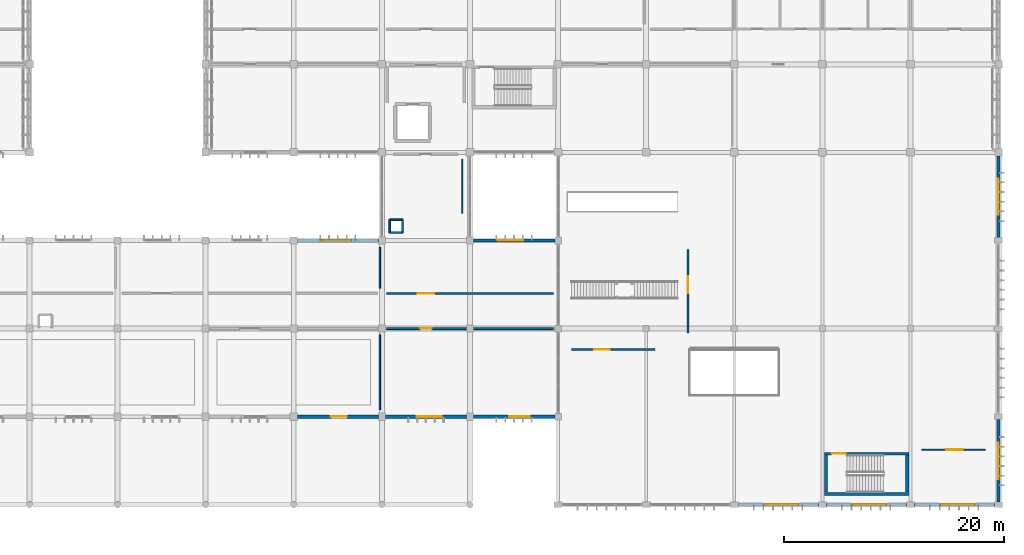
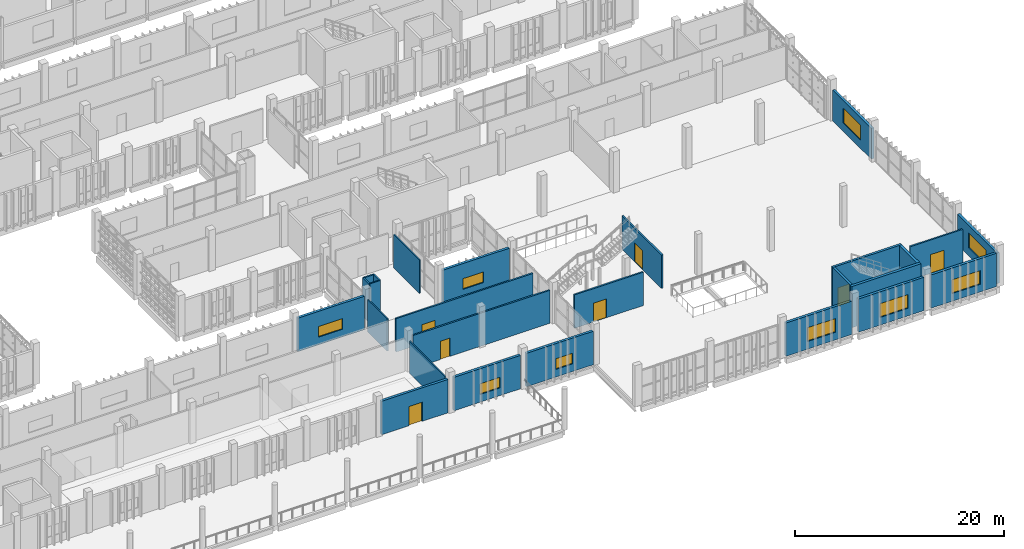
# One storey, part 87 of 106: 26 walls, 9 windows, 7 doors, 16 openings.
"""IFC4 building model written with IfcOpenShell, lengths in metres."""

from ifc_helpers import new_model, si_unit, direction, frame, frame_2d, origin, place, context, subcontext, project, spatial, rectangle, extrude, material, layer, layer_set, type_object, element, fill, save


model = new_model("IFC4")

# Units and contexts
model_context = context("Model", 3, precision=1e-05, world=origin(), true_north=direction((0.0, 1.0)))
body_context = subcontext(model_context, "Body", "Model", "MODEL_VIEW")
ifc_project = project(units=[si_unit("LENGTHUNIT", "METRE"), si_unit("AREAUNIT", "SQUARE_METRE"), si_unit("VOLUMEUNIT", "CUBIC_METRE"), si_unit("PLANEANGLEUNIT", "RADIAN"), si_unit("MASSUNIT", "GRAM", prefix="KILO")], contexts=[model_context])

# Site, building, storey
site_placement = place(None, origin())
site = spatial("IfcSite", under=ifc_project, at=site_placement, CompositionType="ELEMENT")
building_placement = place(site_placement, origin())
building = spatial("IfcBuilding", under=site, at=building_placement, Name="Jelvoka-Kovrelna Polytechnic", CompositionType="ELEMENT")
storey_placement = place(building_placement, frame((0.0, 0.0, 4.800048828125)))
storey = spatial("IfcBuildingStorey", under=building, at=storey_placement, Name="L02", CompositionType="ELEMENT", Elevation=4.800048828125)

# Wall, opening, door
ifc_material_1 = material(Name="Concrete C40/50", Category="concrete")
ifc_layer_1 = layer(ifc_material_1, 0.25)
ifc_layer_set_1 = layer_set([ifc_layer_1], Name="Concrete C40/50")
wall_type_1 = type_object("IfcWallType", Name="Wall_Core_250", PredefinedType="SOLIDWALL", material=ifc_layer_set_1)
wall_1_placement = place(storey_placement, frame((184.199951171875, 4.639892578125, 0.0), z_axis=(0.0, 0.0, 1.0), x_axis=(1.0, 0.0, 0.0)))
wall_1 = element("IfcWall", 1, at=wall_1_placement, inside=storey, type_object=wall_type_1, Name="L02 interior wall 0055", PredefinedType="SOLIDWALL", context=body_context, shape_type="SweptSolid", body=[
    extrude(rectangle(XDim=7.650146484375, YDim=0.25, at=frame_2d((3.8251953125, 0.0))), origin(), (0.0, 0.0, 1.0), 4.800048828125),
])
opening_1_placement = place(wall_1_placement, frame((0.64990234375, 0.0, 0.0)))
opening_1 = element("IfcOpeningElement", 2, at=opening_1_placement, cuts=wall_1, Name="Opening SD-L02-014", PredefinedType="OPENING", context=body_context, shape_type="SweptSolid", body=[
    extrude(rectangle(XDim=1.25, YDim=2.14990234375, at=frame_2d((0.625, 1.074951171875))), frame((0.0, 0.135009765625, 0.0), z_axis=(0.0, -1.0, 0.0), x_axis=(1.0, 0.0, 0.0)), (0.0, 0.0, 1.0), 0.27001953125),
])
ifc_material_2 = material(Name="Powder-coated steel fire door", Category="steel")
door_type_1 = type_object("IfcDoorType", Name="Door_Fire_FD02", OperationType="NOTDEFINED", PredefinedType="DOOR", material=ifc_material_2)
door_1_placement = place(opening_1_placement, origin())
door_1 = element("IfcDoor", 3, at=door_1_placement, inside=storey, type_object=door_type_1, Name="L02 interior door SD-L02-014", OperationType="SINGLE_SWING_LEFT", OverallHeight=2.14990234375, OverallWidth=1.25, PredefinedType="DOOR", context=body_context, shape_type="SweptSolid", body=[
    extrude(rectangle(XDim=1.25, YDim=2.14990234375, at=frame_2d((0.625, 1.074951171875))), frame((0.0, 0.02490234375, 0.0), z_axis=(0.0, -1.0, 0.0), x_axis=(1.0, 0.0, 0.0)), (0.0, 0.0, 1.0), 0.050048828125),
])
fill(opening_1, door_1)

# Wall
wall_2_placement = place(storey_placement, frame((184.324951171875, 1.14990234375, 0.0), z_axis=(0.0, 0.0, 1.0), x_axis=(0.0, 1.0, 0.0)))
element("IfcWall", 4, at=wall_2_placement, inside=storey, type_object=wall_type_1, Name="L02 interior wall 0056", PredefinedType="SOLIDWALL", context=body_context, shape_type="SweptSolid", body=[
    extrude(rectangle(XDim=3.360107421875, YDim=0.25, at=frame_2d((1.68017578125, 0.0))), origin(), (0.0, 0.0, 1.0), 4.800048828125),
])

# Wall, opening, door
ifc_material_3 = material(Name="Autoclaved aerated concrete blockwork", Category="masonry")
ifc_layer_2 = layer(ifc_material_3, 0.179931640625)
ifc_layer_set_2 = layer_set([ifc_layer_2], Name="Autoclaved aerated concrete blockwork")
wall_type_2 = type_object("IfcWallType", Name="Wall_Corridor_180", PredefinedType="PARTITIONING", material=ifc_layer_set_2)
wall_3_placement = place(storey_placement, frame((144.429931640625, 16.0, 0.0), z_axis=(0.0, 0.0, 1.0), x_axis=(1.0, 0.0, 0.0)))
wall_3 = element("IfcWall", 5, at=wall_3_placement, inside=storey, type_object=wall_type_2, Name="L02 interior wall 0951", PredefinedType="PARTITIONING", context=body_context, shape_type="SweptSolid", body=[
    extrude(rectangle(XDim=15.14013671875, YDim=0.179931640625, at=frame_2d((7.570068359375, 0.0))), origin(), (0.0, 0.0, 1.0), 3.85986328125),
])
opening_2_placement = place(wall_3_placement, frame((3.050048828125, 0.0, 0.0)))
opening_2 = element("IfcOpeningElement", 6, at=opening_2_placement, cuts=wall_3, Name="Opening D-L02-224", PredefinedType="OPENING", context=body_context, shape_type="SweptSolid", body=[
    extrude(rectangle(XDim=1.0400390625, YDim=2.14990234375, at=frame_2d((0.52001953125, 1.074951171875))), frame((0.0, 0.099853515625, 0.0), z_axis=(0.0, -1.0, 0.0), x_axis=(1.0, 0.0, 0.0)), (0.0, 0.0, 1.0), 0.199951171875),
])
ifc_material_4 = material(Name="Hardwood acoustic seminar door", Category="wood")
door_type_2 = type_object("IfcDoorType", Name="Door_Int_D09", OperationType="NOTDEFINED", PredefinedType="DOOR", material=ifc_material_4)
door_2_placement = place(opening_2_placement, origin())
door_2 = element("IfcDoor", 7, at=door_2_placement, inside=storey, type_object=door_type_2, Name="L02 interior door D-L02-224", OperationType="SINGLE_SWING_LEFT", OverallHeight=2.14990234375, OverallWidth=1.0400390625, PredefinedType="DOOR", context=body_context, shape_type="SweptSolid", body=[
    extrude(rectangle(XDim=1.0400390625, YDim=2.14990234375, at=frame_2d((0.52001953125, 1.074951171875))), frame((0.0, 0.02490234375, 0.0), z_axis=(0.0, -1.0, 0.0), x_axis=(1.0, 0.0, 0.0)), (0.0, 0.0, 1.0), 0.050048828125),
])
fill(opening_2, door_2)

wall_4_placement = place(storey_placement, frame((144.429931640625, 19.199951171875, 0.0), z_axis=(0.0, 0.0, 1.0), x_axis=(1.0, 0.0, 0.0)))
wall_4 = element("IfcWall", 8, at=wall_4_placement, inside=storey, type_object=wall_type_2, Name="L02 interior wall 0959", PredefinedType="PARTITIONING", context=body_context, shape_type="SweptSolid", body=[
    extrude(rectangle(XDim=15.14013671875, YDim=0.179931640625, at=frame_2d((7.570068359375, 0.0))), origin(), (0.0, 0.0, 1.0), 3.89990234375),
])
opening_3_placement = place(wall_4_placement, frame((2.830078125, 0.0, 0.0)))
opening_3 = element("IfcOpeningElement", 9, at=opening_3_placement, cuts=wall_4, Name="Opening D-L02-229", PredefinedType="OPENING", context=body_context, shape_type="SweptSolid", body=[
    extrude(rectangle(XDim=1.47998046875, YDim=2.199951171875, at=frame_2d((0.739990234375, 1.10009765625))), frame((0.0, 0.099853515625, 0.0), z_axis=(0.0, -1.0, 0.0), x_axis=(1.0, 0.0, 0.0)), (0.0, 0.0, 1.0), 0.199951171875),
])
ifc_material_5 = material(Name="Paired studio double door", Category="wood")
door_type_3 = type_object("IfcDoorType", Name="Door_Int_D17", OperationType="NOTDEFINED", PredefinedType="DOOR", material=ifc_material_5)
door_3_placement = place(opening_3_placement, origin())
door_3 = element("IfcDoor", 10, at=door_3_placement, inside=storey, type_object=door_type_3, Name="L02 interior door D-L02-229", OperationType="DOUBLE_DOOR_SINGLE_SWING", OverallHeight=2.199951171875, OverallWidth=1.47998046875, PredefinedType="DOOR", context=body_context, shape_type="SweptSolid", body=[
    extrude(rectangle(XDim=1.47998046875, YDim=2.199951171875, at=frame_2d((0.739990234375, 1.10009765625))), frame((0.0, 0.02490234375, 0.0), z_axis=(0.0, -1.0, 0.0), x_axis=(1.0, 0.0, 0.0)), (0.0, 0.0, 1.0), 0.050048828125),
])
fill(opening_3, door_3)

wall_5_placement = place(storey_placement, frame((171.800048828125, 15.60009765625, 0.0), z_axis=(0.0, 0.0, 1.0), x_axis=(0.0, 1.0, 0.0)))
wall_5 = element("IfcWall", 11, at=wall_5_placement, inside=storey, type_object=wall_type_2, Name="L02 interior wall 1026", PredefinedType="PARTITIONING", context=body_context, shape_type="SweptSolid", body=[
    extrude(rectangle(XDim=7.599853515625, YDim=0.179931640625, at=frame_2d((3.7998046875, 0.0))), origin(), (0.0, 0.0, 1.0), 3.89990234375),
])
opening_4_placement = place(wall_5_placement, frame((3.6298828125, 0.0, 0.0)))
opening_4 = element("IfcOpeningElement", 12, at=opening_4_placement, cuts=wall_5, Name="Opening D-L02-273", PredefinedType="OPENING", context=body_context, shape_type="SweptSolid", body=[
    extrude(rectangle(XDim=1.5400390625, YDim=2.199951171875, at=frame_2d((0.77001953125, 1.10009765625))), frame((0.0, 0.099853515625, 0.0), z_axis=(0.0, -1.0, 0.0), x_axis=(1.0, 0.0, 0.0)), (0.0, 0.0, 1.0), 0.199951171875),
])
ifc_material_6 = material(Name="Paired hardwood fire-resisting library door", Category="wood")
door_type_4 = type_object("IfcDoorType", Name="Door_Fire_FD30_07", OperationType="NOTDEFINED", PredefinedType="DOOR", material=ifc_material_6)
door_4_placement = place(opening_4_placement, origin())
door_4 = element("IfcDoor", 13, at=door_4_placement, inside=storey, type_object=door_type_4, Name="L02 interior door D-L02-273", OperationType="DOUBLE_DOOR_SINGLE_SWING", OverallHeight=2.199951171875, OverallWidth=1.5400390625, PredefinedType="DOOR", context=body_context, shape_type="SweptSolid", body=[
    extrude(rectangle(XDim=1.5400390625, YDim=2.199951171875, at=frame_2d((0.77001953125, 1.10009765625))), frame((0.0, 0.02490234375, 0.0), z_axis=(0.0, -1.0, 0.0), x_axis=(1.0, 0.0, 0.0)), (0.0, 0.0, 1.0), 0.050048828125),
])
fill(opening_4, door_4)

wall_6_placement = place(storey_placement, frame((161.199951171875, 14.10009765625, 0.0), z_axis=(0.0, 0.0, 1.0), x_axis=(1.0, 0.0, 0.0)))
wall_6 = element("IfcWall", 14, at=wall_6_placement, inside=storey, type_object=wall_type_2, Name="L02 interior wall 1027", PredefinedType="PARTITIONING", context=body_context, shape_type="SweptSolid", body=[
    extrude(rectangle(XDim=7.60009765625, YDim=0.179931640625, at=frame_2d((3.800048828125, 0.0))), origin(), (0.0, 0.0, 1.0), 3.89990234375),
])
opening_5_placement = place(wall_6_placement, frame((2.090087890625, 0.0, 0.0)))
opening_5 = element("IfcOpeningElement", 15, at=opening_5_placement, cuts=wall_6, Name="Opening D-L02-274", PredefinedType="OPENING", context=body_context, shape_type="SweptSolid", body=[
    extrude(rectangle(XDim=1.419921875, YDim=2.199951171875, at=frame_2d((0.7099609375, 1.10009765625))), frame((0.0, 0.099853515625, 0.0), z_axis=(0.0, -1.0, 0.0), x_axis=(1.0, 0.0, 0.0)), (0.0, 0.0, 1.0), 0.199951171875),
])
ifc_material_7 = material(Name="Paired laboratory equipment door", Category="wood")
door_type_5 = type_object("IfcDoorType", Name="Door_Int_D16", OperationType="NOTDEFINED", PredefinedType="DOOR", material=ifc_material_7)
door_5_placement = place(opening_5_placement, origin())
door_5 = element("IfcDoor", 16, at=door_5_placement, inside=storey, type_object=door_type_5, Name="L02 interior door D-L02-274", OperationType="DOUBLE_DOOR_SINGLE_SWING", OverallHeight=2.199951171875, OverallWidth=1.419921875, PredefinedType="DOOR", context=body_context, shape_type="SweptSolid", body=[
    extrude(rectangle(XDim=1.419921875, YDim=2.199951171875, at=frame_2d((0.7099609375, 1.10009765625))), frame((0.0, 0.02490234375, 0.0), z_axis=(0.0, -1.0, 0.0), x_axis=(1.0, 0.0, 0.0)), (0.0, 0.0, 1.0), 0.050048828125),
])
fill(opening_5, door_5)

wall_7_placement = place(storey_placement, frame((193.0, 5.0, 0.0), z_axis=(0.0, 0.0, 1.0), x_axis=(1.0, 0.0, 0.0)))
wall_7 = element("IfcWall", 17, at=wall_7_placement, inside=storey, type_object=wall_type_2, Name="L02 interior wall 1028", PredefinedType="PARTITIONING", context=body_context, shape_type="SweptSolid", body=[
    extrude(rectangle(XDim=5.800048828125, YDim=0.179931640625, at=frame_2d((2.89990234375, 0.0))), origin(), (0.0, 0.0, 1.0), 3.89990234375),
])
opening_6_placement = place(wall_7_placement, frame((2.260009765625, 0.0, 0.0)))
opening_6 = element("IfcOpeningElement", 18, at=opening_6_placement, cuts=wall_7, Name="Opening D-L02-275", PredefinedType="OPENING", context=body_context, shape_type="SweptSolid", body=[
    extrude(rectangle(XDim=1.47998046875, YDim=2.199951171875, at=frame_2d((0.739990234375, 1.10009765625))), frame((0.0, 0.099853515625, 0.0), z_axis=(0.0, -1.0, 0.0), x_axis=(1.0, 0.0, 0.0)), (0.0, 0.0, 1.0), 0.199951171875),
])
door_6_placement = place(opening_6_placement, origin())
door_6 = element("IfcDoor", 19, at=door_6_placement, inside=storey, type_object=door_type_3, Name="L02 interior door D-L02-275", OperationType="DOUBLE_DOOR_SINGLE_SWING", OverallHeight=2.199951171875, OverallWidth=1.47998046875, PredefinedType="DOOR", context=body_context, shape_type="SweptSolid", body=[
    extrude(rectangle(XDim=1.47998046875, YDim=2.199951171875, at=frame_2d((0.739990234375, 1.10009765625))), frame((0.0, 0.02490234375, 0.0), z_axis=(0.0, -1.0, 0.0), x_axis=(1.0, 0.0, 0.0)), (0.0, 0.0, 1.0), 0.050048828125),
])
fill(opening_6, door_6)

ifc_material_8 = material(Name="Precast concrete C40/50", Category="concrete")
ifc_layer_3 = layer(ifc_material_8, 0.280029296875)
ifc_layer_set_3 = layer_set([ifc_layer_3], Name="Precast concrete C40/50")
wall_type_3 = type_object("IfcWallType", Name="Wall_Ext_White_280", PredefinedType="STANDARD", material=ifc_layer_set_3)
wall_8_placement = place(storey_placement, frame((143.677978515625, 8.0, 0.0), z_axis=(0.0, 0.0, 1.0), x_axis=(-1.0, 0.0, 0.0)))
wall_8 = element("IfcWall", 20, at=wall_8_placement, inside=storey, type_object=wall_type_3, Name="L02 exterior wall 0275", PredefinedType="STANDARD", context=body_context, shape_type="SweptSolid", body=[
    extrude(rectangle(XDim=7.35595703125, YDim=0.280029296875, at=frame_2d((3.677978515625, 0.0))), origin(), (0.0, 0.0, 1.0), 3.909912109375),
])
opening_7_placement = place(wall_8_placement, frame((2.85791015625, 0.0, 0.0)))
opening_7 = element("IfcOpeningElement", 21, at=opening_7_placement, cuts=wall_8, Name="Opening TD-L02-005", PredefinedType="OPENING", context=body_context, shape_type="SweptSolid", body=[
    extrude(rectangle(XDim=1.449951171875, YDim=2.25, at=frame_2d((0.72509765625, 1.125))), frame((0.0, 0.150146484375, 0.0), z_axis=(0.0, -1.0, 0.0), x_axis=(1.0, 0.0, 0.0)), (0.0, 0.0, 1.0), 0.300048828125),
])
ifc_material_9 = material(Name="Powder-coated aluminium and laminated safety glass", Category="aluminium")
door_type_6 = type_object("IfcDoorType", Name="Door_Ext_Terrace_1450x2250", OperationType="NOTDEFINED", PredefinedType="DOOR", material=ifc_material_9)
door_7_placement = place(opening_7_placement, origin())
door_7 = element("IfcDoor", 22, at=door_7_placement, inside=storey, type_object=door_type_6, Name="L02 exterior door TD-L02-005", OperationType="SINGLE_SWING_LEFT", OverallHeight=2.25, OverallWidth=1.449951171875, PredefinedType="DOOR", context=body_context, shape_type="SweptSolid", body=[
    extrude(rectangle(XDim=1.449951171875, YDim=2.25, at=frame_2d((0.72509765625, 1.125))), frame((0.0, 0.02490234375, 0.0), z_axis=(0.0, -1.0, 0.0), x_axis=(1.0, 0.0, 0.0)), (0.0, 0.0, 1.0), 0.050048828125),
])
fill(opening_7, door_7)

# Wall, opening, window
wall_9_placement = place(storey_placement, frame((136.322021484375, 24.0, 0.0), z_axis=(0.0, 0.0, 1.0), x_axis=(1.0, 0.0, 0.0)))
wall_9 = element("IfcWall", 23, at=wall_9_placement, inside=storey, type_object=wall_type_3, Name="L02 exterior wall 0276", PredefinedType="STANDARD", context=body_context, shape_type="SweptSolid", body=[
    extrude(rectangle(XDim=7.35595703125, YDim=0.280029296875, at=frame_2d((3.677978515625, 0.0))), origin(), (0.0, 0.0, 1.0), 3.909912109375),
])
opening_8_placement = place(wall_9_placement, frame((2.258056640625, 0.0, 0.89990234375)))
opening_8 = element("IfcOpeningElement", 24, at=opening_8_placement, cuts=wall_9, Name="Opening W-L02-040", PredefinedType="OPENING", context=body_context, shape_type="SweptSolid", body=[
    extrude(rectangle(XDim=2.64990234375, YDim=1.25, at=frame_2d((1.324951171875, 0.625))), frame((0.0, 0.150146484375, 0.0), z_axis=(0.0, -1.0, 0.0), x_axis=(1.0, 0.0, 0.0)), (0.0, 0.0, 1.0), 0.300048828125),
])
ifc_material_10 = material(Name="Thermally broken anodised aluminium and low-e glazing", Category="aluminium")
window_type_1 = type_object("IfcWindowType", Name="Win_Casement_W09", PartitioningType="DOUBLE_PANEL_VERTICAL", PredefinedType="WINDOW", material=ifc_material_10)
window_1_placement = place(opening_8_placement, origin())
window_1 = element("IfcWindow", 25, at=window_1_placement, inside=storey, type_object=window_type_1, Name="L02 aluminium casement window W-L02-040", OverallHeight=1.25, OverallWidth=2.64990234375, PartitioningType="DOUBLE_PANEL_VERTICAL", PredefinedType="WINDOW", context=body_context, shape_type="SweptSolid", body=[
    extrude(rectangle(XDim=2.64990234375, YDim=1.25, at=frame_2d((1.324951171875, 0.625))), frame((0.0, 0.030029296875, 0.0), z_axis=(0.0, -1.0, 0.0), x_axis=(1.0, 0.0, 0.0)), (0.0, 0.0, 1.0), 0.06005859375),
])
fill(opening_8, window_1)

wall_10_placement = place(storey_placement, frame((151.677978515625, 8.0, 0.0), z_axis=(0.0, 0.0, 1.0), x_axis=(-1.0, 0.0, 0.0)))
wall_10 = element("IfcWall", 26, at=wall_10_placement, inside=storey, type_object=wall_type_3, Name="L02 exterior wall 0277", PredefinedType="STANDARD", context=body_context, shape_type="SweptSolid", body=[
    extrude(rectangle(XDim=7.35595703125, YDim=0.280029296875, at=frame_2d((3.677978515625, 0.0))), origin(), (0.0, 0.0, 1.0), 3.909912109375),
])
opening_9_placement = place(wall_10_placement, frame((2.258056640625, 0.0, 0.89990234375)))
opening_9 = element("IfcOpeningElement", 27, at=opening_9_placement, cuts=wall_10, Name="Opening W-L02-041", PredefinedType="OPENING", context=body_context, shape_type="SweptSolid", body=[
    extrude(rectangle(XDim=2.25, YDim=1.25, at=frame_2d((1.125, 0.625))), frame((0.0, 0.150146484375, 0.0), z_axis=(0.0, -1.0, 0.0), x_axis=(1.0, 0.0, 0.0)), (0.0, 0.0, 1.0), 0.300048828125),
])
ifc_material_11 = material(Name="Thermally broken anodised aluminium and low-e glazing", Category="aluminium")
window_type_2 = type_object("IfcWindowType", Name="Win_Casement_W07", PartitioningType="DOUBLE_PANEL_VERTICAL", PredefinedType="WINDOW", material=ifc_material_11)
window_2_placement = place(opening_9_placement, origin())
window_2 = element("IfcWindow", 28, at=window_2_placement, inside=storey, type_object=window_type_2, Name="L02 aluminium casement window W-L02-041", OverallHeight=1.25, OverallWidth=2.25, PartitioningType="DOUBLE_PANEL_VERTICAL", PredefinedType="WINDOW", context=body_context, shape_type="SweptSolid", body=[
    extrude(rectangle(XDim=2.25, YDim=1.25, at=frame_2d((1.125, 0.625))), frame((0.0, 0.030029296875, 0.0), z_axis=(0.0, -1.0, 0.0), x_axis=(1.0, 0.0, 0.0)), (0.0, 0.0, 1.0), 0.06005859375),
])
fill(opening_9, window_2)

wall_11_placement = place(storey_placement, frame((159.702880859375, 8.0, 0.0), z_axis=(0.0, 0.0, 1.0), x_axis=(-1.0, 0.0, 0.0)))
wall_11 = element("IfcWall", 29, at=wall_11_placement, inside=storey, type_object=wall_type_3, Name="L02 exterior wall 0278", PredefinedType="STANDARD", context=body_context, shape_type="SweptSolid", body=[
    extrude(rectangle(XDim=7.380859375, YDim=0.280029296875, at=frame_2d((3.6904296875, 0.0))), origin(), (0.0, 0.0, 1.0), 3.909912109375),
])
opening_10_placement = place(wall_11_placement, frame((2.282958984375, 0.0, 0.89990234375)))
opening_10 = element("IfcOpeningElement", 30, at=opening_10_placement, cuts=wall_11, Name="Opening W-L02-042", PredefinedType="OPENING", context=body_context, shape_type="SweptSolid", body=[
    extrude(rectangle(XDim=1.85009765625, YDim=1.25, at=frame_2d((0.925048828125, 0.625))), frame((0.0, 0.150146484375, 0.0), z_axis=(0.0, -1.0, 0.0), x_axis=(1.0, 0.0, 0.0)), (0.0, 0.0, 1.0), 0.300048828125),
])
ifc_material_12 = material(Name="Thermally broken anodised aluminium and low-e glazing", Category="aluminium")
window_type_3 = type_object("IfcWindowType", Name="Win_Casement_W05", PartitioningType="DOUBLE_PANEL_VERTICAL", PredefinedType="WINDOW", material=ifc_material_12)
window_3_placement = place(opening_10_placement, origin())
window_3 = element("IfcWindow", 31, at=window_3_placement, inside=storey, type_object=window_type_3, Name="L02 aluminium casement window W-L02-042", OverallHeight=1.25, OverallWidth=1.85009765625, PartitioningType="DOUBLE_PANEL_VERTICAL", PredefinedType="WINDOW", context=body_context, shape_type="SweptSolid", body=[
    extrude(rectangle(XDim=1.85009765625, YDim=1.25, at=frame_2d((0.925048828125, 0.625))), frame((0.0, 0.030029296875, 0.0), z_axis=(0.0, -1.0, 0.0), x_axis=(1.0, 0.0, 0.0)), (0.0, 0.0, 1.0), 0.06005859375),
])
fill(opening_10, window_3)

wall_12_placement = place(storey_placement, frame((152.322021484375, 24.0, 0.0), z_axis=(0.0, 0.0, 1.0), x_axis=(1.0, 0.0, 0.0)))
wall_12 = element("IfcWall", 32, at=wall_12_placement, inside=storey, type_object=wall_type_3, Name="L02 exterior wall 0279", PredefinedType="STANDARD", context=body_context, shape_type="SweptSolid", body=[
    extrude(rectangle(XDim=7.380859375, YDim=0.280029296875, at=frame_2d((3.6904296875, 0.0))), origin(), (0.0, 0.0, 1.0), 3.909912109375),
])
opening_11_placement = place(wall_12_placement, frame((2.258056640625, 0.0, 0.89990234375)))
opening_11 = element("IfcOpeningElement", 33, at=opening_11_placement, cuts=wall_12, Name="Opening W-L02-043", PredefinedType="OPENING", context=body_context, shape_type="SweptSolid", body=[
    extrude(rectangle(XDim=2.25, YDim=1.25, at=frame_2d((1.125, 0.625))), frame((0.0, 0.150146484375, 0.0), z_axis=(0.0, -1.0, 0.0), x_axis=(1.0, 0.0, 0.0)), (0.0, 0.0, 1.0), 0.300048828125),
])
window_4_placement = place(opening_11_placement, origin())
window_4 = element("IfcWindow", 34, at=window_4_placement, inside=storey, type_object=window_type_2, Name="L02 aluminium casement window W-L02-043", OverallHeight=1.25, OverallWidth=2.25, PartitioningType="DOUBLE_PANEL_VERTICAL", PredefinedType="WINDOW", context=body_context, shape_type="SweptSolid", body=[
    extrude(rectangle(XDim=2.25, YDim=1.25, at=frame_2d((1.125, 0.625))), frame((0.0, 0.030029296875, 0.0), z_axis=(0.0, -1.0, 0.0), x_axis=(1.0, 0.0, 0.0)), (0.0, 0.0, 1.0), 0.06005859375),
])
fill(opening_11, window_4)

wall_13_placement = place(storey_placement, frame((183.6279296875, 0.0, 0.0), z_axis=(0.0, 0.0, 1.0), x_axis=(-1.0, 0.0, 0.0)))
wall_13 = element("IfcWall", 35, at=wall_13_placement, inside=storey, type_object=wall_type_3, Name="L02 exterior wall 1136", PredefinedType="STANDARD", context=body_context, shape_type="SweptSolid", body=[
    extrude(rectangle(XDim=7.255859375, YDim=0.280029296875, at=frame_2d((3.6279296875, 0.0))), origin(), (0.0, 0.0, 1.0), 3.889892578125),
])
opening_12_placement = place(wall_13_placement, frame((1.80810546875, 0.0, 0.89990234375)))
opening_12 = element("IfcOpeningElement", 36, at=opening_12_placement, cuts=wall_13, Name="Opening W-L02-572", PredefinedType="OPENING", context=body_context, shape_type="SweptSolid", body=[
    extrude(rectangle(XDim=3.10009765625, YDim=1.60009765625, at=frame_2d((1.550048828125, 0.800048828125))), frame((0.0, 0.150146484375, 0.0), z_axis=(0.0, -1.0, 0.0), x_axis=(1.0, 0.0, 0.0)), (0.0, 0.0, 1.0), 0.300048828125),
])
ifc_material_13 = material(Name="Thermally broken anodised aluminium and low-e glazing", Category="aluminium")
window_type_4 = type_object("IfcWindowType", Name="Win_Casement_W61", PartitioningType="DOUBLE_PANEL_VERTICAL", PredefinedType="WINDOW", material=ifc_material_13)
window_5_placement = place(opening_12_placement, origin())
window_5 = element("IfcWindow", 37, at=window_5_placement, inside=storey, type_object=window_type_4, Name="L02 aluminium casement window W-L02-572", OverallHeight=1.60009765625, OverallWidth=3.10009765625, PartitioningType="DOUBLE_PANEL_VERTICAL", PredefinedType="WINDOW", context=body_context, shape_type="SweptSolid", body=[
    extrude(rectangle(XDim=3.10009765625, YDim=1.60009765625, at=frame_2d((1.550048828125, 0.800048828125))), frame((0.0, 0.030029296875, 0.0), z_axis=(0.0, -1.0, 0.0), x_axis=(1.0, 0.0, 0.0)), (0.0, 0.0, 1.0), 0.06005859375),
])
fill(opening_12, window_5)

wall_14_placement = place(storey_placement, frame((191.6279296875, 0.0, 0.0), z_axis=(0.0, 0.0, 1.0), x_axis=(-1.0, 0.0, 0.0)))
wall_14 = element("IfcWall", 38, at=wall_14_placement, inside=storey, type_object=wall_type_3, Name="L02 exterior wall 1137", PredefinedType="STANDARD", context=body_context, shape_type="SweptSolid", body=[
    extrude(rectangle(XDim=7.255859375, YDim=0.280029296875, at=frame_2d((3.6279296875, 0.0))), origin(), (0.0, 0.0, 1.0), 3.889892578125),
])
opening_13_placement = place(wall_14_placement, frame((1.80810546875, 0.0, 0.89990234375)))
opening_13 = element("IfcOpeningElement", 39, at=opening_13_placement, cuts=wall_14, Name="Opening W-L02-573", PredefinedType="OPENING", context=body_context, shape_type="SweptSolid", body=[
    extrude(rectangle(XDim=3.10009765625, YDim=1.60009765625, at=frame_2d((1.550048828125, 0.800048828125))), frame((0.0, 0.150146484375, 0.0), z_axis=(0.0, -1.0, 0.0), x_axis=(1.0, 0.0, 0.0)), (0.0, 0.0, 1.0), 0.300048828125),
])
window_6_placement = place(opening_13_placement, origin())
window_6 = element("IfcWindow", 40, at=window_6_placement, inside=storey, type_object=window_type_4, Name="L02 aluminium casement window W-L02-573", OverallHeight=1.60009765625, OverallWidth=3.10009765625, PartitioningType="DOUBLE_PANEL_VERTICAL", PredefinedType="WINDOW", context=body_context, shape_type="SweptSolid", body=[
    extrude(rectangle(XDim=3.10009765625, YDim=1.60009765625, at=frame_2d((1.550048828125, 0.800048828125))), frame((0.0, 0.030029296875, 0.0), z_axis=(0.0, -1.0, 0.0), x_axis=(1.0, 0.0, 0.0)), (0.0, 0.0, 1.0), 0.06005859375),
])
fill(opening_13, window_6)

wall_15_placement = place(storey_placement, frame((199.6279296875, 0.0, 0.0), z_axis=(0.0, 0.0, 1.0), x_axis=(-1.0, 0.0, 0.0)))
wall_15 = element("IfcWall", 41, at=wall_15_placement, inside=storey, type_object=wall_type_3, Name="L02 exterior wall 1138", PredefinedType="STANDARD", context=body_context, shape_type="SweptSolid", body=[
    extrude(rectangle(XDim=7.255859375, YDim=0.280029296875, at=frame_2d((3.6279296875, 0.0))), origin(), (0.0, 0.0, 1.0), 3.889892578125),
])
opening_14_placement = place(wall_15_placement, frame((1.80810546875, 0.0, 0.89990234375)))
opening_14 = element("IfcOpeningElement", 42, at=opening_14_placement, cuts=wall_15, Name="Opening W-L02-574", PredefinedType="OPENING", context=body_context, shape_type="SweptSolid", body=[
    extrude(rectangle(XDim=3.10009765625, YDim=1.60009765625, at=frame_2d((1.550048828125, 0.800048828125))), frame((0.0, 0.150146484375, 0.0), z_axis=(0.0, -1.0, 0.0), x_axis=(1.0, 0.0, 0.0)), (0.0, 0.0, 1.0), 0.300048828125),
])
window_7_placement = place(opening_14_placement, origin())
window_7 = element("IfcWindow", 43, at=window_7_placement, inside=storey, type_object=window_type_4, Name="L02 aluminium casement window W-L02-574", OverallHeight=1.60009765625, OverallWidth=3.10009765625, PartitioningType="DOUBLE_PANEL_VERTICAL", PredefinedType="WINDOW", context=body_context, shape_type="SweptSolid", body=[
    extrude(rectangle(XDim=3.10009765625, YDim=1.60009765625, at=frame_2d((1.550048828125, 0.800048828125))), frame((0.0, 0.030029296875, 0.0), z_axis=(0.0, -1.0, 0.0), x_axis=(1.0, 0.0, 0.0)), (0.0, 0.0, 1.0), 0.06005859375),
])
fill(opening_14, window_7)

wall_16_placement = place(storey_placement, frame((200.0, 7.7529296875, 0.0), z_axis=(0.0, 0.0, 1.0), x_axis=(0.0, -1.0, 0.0)))
wall_16 = element("IfcWall", 44, at=wall_16_placement, inside=storey, type_object=wall_type_3, Name="L02 exterior wall 1139", PredefinedType="STANDARD", context=body_context, shape_type="SweptSolid", body=[
    extrude(rectangle(XDim=7.505859375, YDim=0.280029296875, at=frame_2d((3.7529296875, 0.0))), origin(), (0.0, 0.0, 1.0), 3.58984375),
])
opening_15_placement = place(wall_16_placement, frame((2.133056640625, 0.0, 0.949951171875)))
opening_15 = element("IfcOpeningElement", 45, at=opening_15_placement, cuts=wall_16, Name="Opening W-L02-575", PredefinedType="OPENING", context=body_context, shape_type="SweptSolid", body=[
    extrude(rectangle(XDim=3.300048828125, YDim=1.75, at=frame_2d((1.64990234375, 0.875))), frame((0.0, 0.150146484375, 0.0), z_axis=(0.0, -1.0, 0.0), x_axis=(1.0, 0.0, 0.0)), (0.0, 0.0, 1.0), 0.300048828125),
])
ifc_material_14 = material(Name="Thermally broken anodised aluminium and low-e glazing", Category="aluminium")
window_type_5 = type_object("IfcWindowType", Name="Win_Casement_W62", PartitioningType="DOUBLE_PANEL_VERTICAL", PredefinedType="WINDOW", material=ifc_material_14)
window_8_placement = place(opening_15_placement, origin())
window_8 = element("IfcWindow", 46, at=window_8_placement, inside=storey, type_object=window_type_5, Name="L02 aluminium casement window W-L02-575", OverallHeight=1.75, OverallWidth=3.300048828125, PartitioningType="DOUBLE_PANEL_VERTICAL", PredefinedType="WINDOW", context=body_context, shape_type="SweptSolid", body=[
    extrude(rectangle(XDim=3.300048828125, YDim=1.75, at=frame_2d((1.64990234375, 0.875))), frame((0.0, 0.030029296875, 0.0), z_axis=(0.0, -1.0, 0.0), x_axis=(1.0, 0.0, 0.0)), (0.0, 0.0, 1.0), 0.06005859375),
])
fill(opening_15, window_8)

wall_17_placement = place(storey_placement, frame((200.0, 31.653076171875, 0.0), z_axis=(0.0, 0.0, 1.0), x_axis=(0.0, -1.0, 0.0)))
wall_17 = element("IfcWall", 47, at=wall_17_placement, inside=storey, type_object=wall_type_3, Name="L02 exterior wall 1140", PredefinedType="STANDARD", context=body_context, shape_type="SweptSolid", body=[
    extrude(rectangle(XDim=7.406005859375, YDim=0.280029296875, at=frame_2d((3.703125, 0.0))), origin(), (0.0, 0.0, 1.0), 3.58984375),
])
opening_16_placement = place(wall_17_placement, frame((2.032958984375, 0.0, 0.949951171875)))
opening_16 = element("IfcOpeningElement", 48, at=opening_16_placement, cuts=wall_17, Name="Opening W-L02-576", PredefinedType="OPENING", context=body_context, shape_type="SweptSolid", body=[
    extrude(rectangle(XDim=3.300048828125, YDim=1.75, at=frame_2d((1.64990234375, 0.875))), frame((0.0, 0.150146484375, 0.0), z_axis=(0.0, -1.0, 0.0), x_axis=(1.0, 0.0, 0.0)), (0.0, 0.0, 1.0), 0.300048828125),
])
window_9_placement = place(opening_16_placement, origin())
window_9 = element("IfcWindow", 49, at=window_9_placement, inside=storey, type_object=window_type_5, Name="L02 aluminium casement window W-L02-576", OverallHeight=1.75, OverallWidth=3.300048828125, PartitioningType="DOUBLE_PANEL_VERTICAL", PredefinedType="WINDOW", context=body_context, shape_type="SweptSolid", body=[
    extrude(rectangle(XDim=3.300048828125, YDim=1.75, at=frame_2d((1.64990234375, 0.875))), frame((0.0, 0.030029296875, 0.0), z_axis=(0.0, -1.0, 0.0), x_axis=(1.0, 0.0, 0.0)), (0.0, 0.0, 1.0), 0.06005859375),
])
fill(opening_16, window_9)

# Walls
ifc_material_15 = material(Name="Acoustic gypsum stud partition")
ifc_layer_4 = layer(ifc_material_15, 0.125)
ifc_layer_set_4 = layer_set([ifc_layer_4], Name="Acoustic gypsum stud partition")
wall_type_4 = type_object("IfcWallType", Name="Wall_Partition_125", PredefinedType="PARTITIONING", material=ifc_layer_set_4)
wall_18_placement = place(storey_placement, frame((143.820068359375, 8.6201171875, 0.0), z_axis=(0.0, 0.0, 1.0), x_axis=(0.0, 1.0, 0.0)))
element("IfcWall", 50, at=wall_18_placement, inside=storey, type_object=wall_type_4, Name="L02 interior wall 0950", PredefinedType="PARTITIONING", context=body_context, shape_type="SweptSolid", body=[
    extrude(rectangle(XDim=6.809814453125, YDim=0.125, at=frame_2d((3.40478515625, 0.0))), origin(), (0.0, 0.0, 1.0), 3.760009765625),
])
wall_19_placement = place(storey_placement, frame((143.820068359375, 19.669921875, 0.0), z_axis=(0.0, 0.0, 1.0), x_axis=(0.0, 1.0, 0.0)))
element("IfcWall", 51, at=wall_19_placement, inside=storey, type_object=wall_type_4, Name="L02 interior wall 0958", PredefinedType="PARTITIONING", context=body_context, shape_type="SweptSolid", body=[
    extrude(rectangle(XDim=3.7099609375, YDim=0.125, at=frame_2d((1.85498046875, 0.0))), origin(), (0.0, 0.0, 1.0), 3.760009765625),
])
wall_20_placement = place(storey_placement, frame((151.300048828125, 26.469970703125, 0.0), z_axis=(0.0, 0.0, 1.0), x_axis=(0.0, 1.0, 0.0)))
element("IfcWall", 52, at=wall_20_placement, inside=storey, type_object=wall_type_4, Name="L02 interior wall 0995", PredefinedType="PARTITIONING", context=body_context, shape_type="SweptSolid", body=[
    extrude(rectangle(XDim=4.909912109375, YDim=0.125, at=frame_2d((2.455078125, 0.0))), origin(), (0.0, 0.0, 1.0), 3.89990234375),
])
ifc_material_16 = material(Name="Autoclaved aerated concrete blockwork", Category="masonry")
ifc_layer_5 = layer(ifc_material_16, 0.14990234375)
ifc_layer_set_5 = layer_set([ifc_layer_5], Name="Autoclaved aerated concrete blockwork")
wall_type_5 = type_object("IfcWallType", Name="Wall_Partition_150", PredefinedType="PARTITIONING", material=ifc_layer_set_5)
for number, where, z_axis, x_axis, name in (
    (53, (144.719970703125, 24.719970703125, 0.0), (0.0, 0.0, 1.0), (1.0, 0.0, 0.0), "L02 interior wall 0702"),
    (54, (145.8798828125, 24.719970703125, 0.0), (0.0, 0.0, 1.0), (0.0, 1.0, 0.0), "L02 interior wall 0703"),
    (55, (145.8798828125, 25.8798828125, 0.0), (0.0, 0.0, 1.0), (-1.0, 0.0, 0.0), "L02 interior wall 0704"),
    (56, (144.719970703125, 25.8798828125, 0.0), (0.0, 0.0, 1.0), (0.0, -1.0, 0.0), "L02 interior wall 0705"),
):
    element("IfcWall", number, at=place(storey_placement, frame(where, z_axis=z_axis, x_axis=x_axis)), inside=storey, type_object=wall_type_5, Name=name, PredefinedType="PARTITIONING", context=body_context, shape_type="SweptSolid", body=[
        extrude(rectangle(XDim=1.159912109375, YDim=0.14990234375, at=frame_2d((0.580078125, 0.0))), origin(), (0.0, 0.0, 1.0), 4.5),
    ])
ifc_material_17 = material(Name="Concrete C40/50", Category="concrete")
ifc_layer_6 = layer(ifc_material_17, 0.300048828125)
ifc_layer_set_6 = layer_set([ifc_layer_6], Name="Concrete C40/50")
wall_type_6 = type_object("IfcWallType", Name="Wall_Shear_300", PredefinedType="SHEAR", material=ifc_layer_set_6)
wall_21_placement = place(storey_placement, frame((184.199951171875, 0.989990234375, 0.0), z_axis=(0.0, 0.0, 1.0), x_axis=(1.0, 0.0, 0.0)))
element("IfcWall", 57, at=wall_21_placement, inside=storey, type_object=wall_type_6, Name="L02 interior wall 0053", PredefinedType="SHEAR", context=body_context, shape_type="SweptSolid", body=[
    extrude(rectangle(XDim=7.650146484375, YDim=0.300048828125, at=frame_2d((3.8251953125, 0.0))), origin(), (0.0, 0.0, 1.0), 4.800048828125),
])
wall_22_placement = place(storey_placement, frame((191.7099609375, 1.14990234375, 0.0), z_axis=(0.0, 0.0, 1.0), x_axis=(0.0, 1.0, 0.0)))
element("IfcWall", 58, at=wall_22_placement, inside=storey, type_object=wall_type_6, Name="L02 interior wall 0054", PredefinedType="SHEAR", context=body_context, shape_type="SweptSolid", body=[
    extrude(rectangle(XDim=3.360107421875, YDim=0.300048828125, at=frame_2d((1.68017578125, 0.0))), origin(), (0.0, 0.0, 1.0), 4.800048828125),
])

save(model, "model.ifc")
